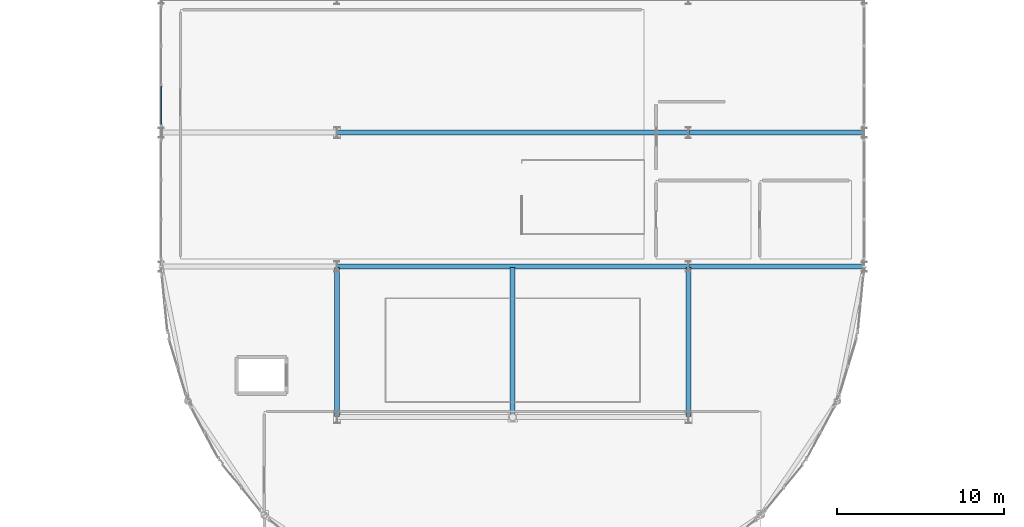
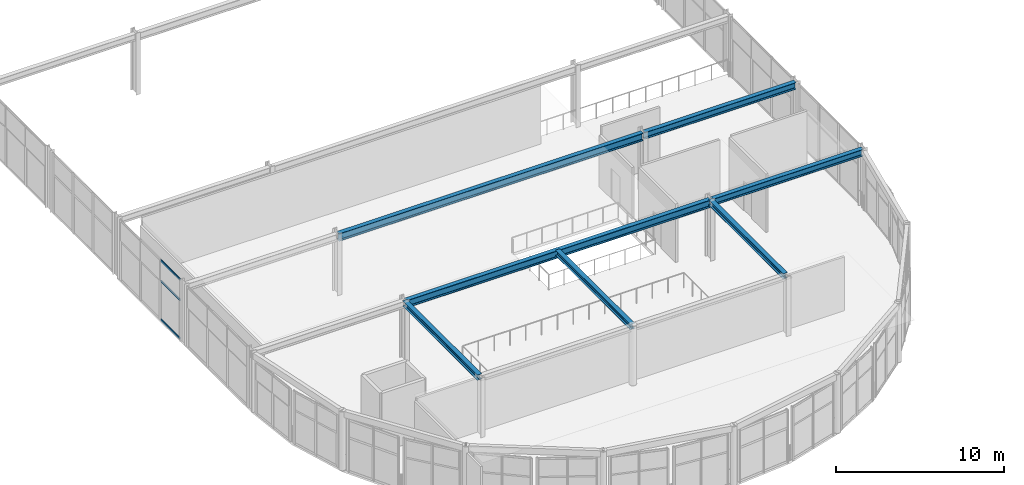
# One storey, part 21 of 105: 7 beams, 3 members, 1 element without a shape of its own.
"""IFC4 building model written with IfcOpenShell, lengths in metres."""

import ifcopenshell
import ifcopenshell.guid

model = None  # the IFC model being written
_history = None  # IfcOwnerHistory: only IFC2X3 demands one
_inside = {}  # id of a spatial element -> (the spatial element, [elements in it])
_under = {}  # id of a project, library or spatial element -> (it, [spatial elements below it])
_declared = {}  # id of a project -> (the project, [libraries it declares])
_typed = {}  # id of a type object -> (the type object, [elements of that type])
_made_of = {}  # id of a material, layer set ... -> (it, [elements and type objects made of it])


def new_model(schema):
    """Start an empty IFC model of exactly this schema.

    Asked for "IFC4X3", IfcOpenShell would pick the latest addendum, in which some entities
    have other attributes; the version numbers below select the first issue.
    IFC2X3 requires an IfcOwnerHistory on every rooted entity: one is made here for all.
    """
    global model, _history
    if schema == "IFC4X3":
        model = ifcopenshell.file(schema_version=(4, 3, 0, 0))
    else:
        model = ifcopenshell.file(schema=schema)
    _inside.clear()
    _under.clear()
    _declared.clear()
    _typed.clear()
    _made_of.clear()
    _history = None
    if model.schema == "IFC2X3":
        org = make("IfcOrganization", Name="unknown")
        user = make(
            "IfcPersonAndOrganization",
            ThePerson=make("IfcPerson", FamilyName="unknown"),
            TheOrganization=org,
        )
        app = make(
            "IfcApplication",
            ApplicationDeveloper=org,
            Version="unknown",
            ApplicationFullName="unknown",
            ApplicationIdentifier="unknown",
        )
        _history = make(
            "IfcOwnerHistory",
            OwningUser=user,
            OwningApplication=app,
            ChangeAction="ADDED",
            CreationDate=0,
        )
    return model


def make(cls, **values):
    """One entity of the class cls with the attributes given. An attribute that is None is left unset."""
    return model.create_entity(
        cls, **{name: value for name, value in values.items() if value is not None}
    )


def rooted(cls, **values):
    """An entity with a GlobalId (a new one), such as an element, a storey or a relation."""
    return make(cls, GlobalId=ifcopenshell.guid.new(), OwnerHistory=_history, **values)


def si_unit(unit_type, name, prefix=None):
    """IfcSIUnit, for example si_unit("LENGTHUNIT", "METRE", prefix="MILLI")."""
    return make("IfcSIUnit", UnitType=unit_type, Prefix=prefix, Name=name)


def assignment(units):
    """IfcUnitAssignment: the units of a project."""
    return None if units is None else make("IfcUnitAssignment", Units=units)


def point(xyz):
    """IfcCartesianPoint."""
    return None if xyz is None else make("IfcCartesianPoint", Coordinates=xyz)


def direction(xyz):
    """IfcDirection."""
    return None if xyz is None else make("IfcDirection", DirectionRatios=xyz)


def frame(location, z_axis=None, x_axis=None):
    """IfcAxis2Placement3D, a coordinate frame: its origin and axes. An axis left out is left unset."""
    return make(
        "IfcAxis2Placement3D",
        Location=point(location),
        Axis=direction(z_axis),
        RefDirection=direction(x_axis),
    )


def frame_2d(location, x_axis=None):
    """IfcAxis2Placement2D, a coordinate frame in the plane: its origin and x axis."""
    return make(
        "IfcAxis2Placement2D", Location=point(location), RefDirection=direction(x_axis)
    )


def origin():
    """The frame at (0, 0, 0) with its axes left unset."""
    return frame((0.0, 0.0, 0.0))


def origin_2d():
    """The frame at (0, 0) in the plane with its x axis left unset."""
    return frame_2d((0.0, 0.0))


def place(relative_to, where):
    """IfcLocalPlacement: puts the frame where relative to a parent placement (None: the world)."""
    return make(
        "IfcLocalPlacement", PlacementRelTo=relative_to, RelativePlacement=where
    )


def context(
    kind, dimensions, precision=None, world=None, true_north=None, identifier=None
):
    """IfcGeometricRepresentationContext, for example the 3D "Model" context."""
    return make(
        "IfcGeometricRepresentationContext",
        ContextIdentifier=identifier,
        ContextType=kind,
        CoordinateSpaceDimension=dimensions,
        Precision=precision,
        WorldCoordinateSystem=world,
        TrueNorth=true_north,
    )


def subcontext(parent, identifier, kind, view, scale=None):
    """IfcGeometricRepresentationSubContext, for example "Body" below "Model"."""
    return make(
        "IfcGeometricRepresentationSubContext",
        ContextIdentifier=identifier,
        ContextType=kind,
        ParentContext=parent,
        TargetScale=scale,
        TargetView=view,
    )


def project(units=None, contexts=None):
    """IfcProject with its units and contexts."""
    return rooted(
        "IfcProject",
        Name="project",
        RepresentationContexts=contexts,
        UnitsInContext=assignment(units),
    )


def spatial(cls, under=None, at=None, **own):
    """A site, building, storey or space (cls), placed at a placement, below another one or the project."""
    s = rooted(cls, ObjectPlacement=at, **own)
    if under is not None:
        _under.setdefault(under.id(), (under, []))[1].append(s)
    return s


def profile(cls, at=None, kind="AREA", **sizes):
    """A parametric profile (cls). Its sizes go by their IFC names, for example OverallWidth=200.0."""
    return make(cls, ProfileType=kind, Position=at, **sizes)


def hollow_rectangle(**sizes):
    """IfcRectangleHollowProfileDef."""
    return profile("IfcRectangleHollowProfileDef", **sizes)


def i_section(**sizes):
    """IfcIShapeProfileDef."""
    return profile("IfcIShapeProfileDef", **sizes)


def extrude(swept, where, along, depth):
    """IfcExtrudedAreaSolid: the profile swept, set in the frame where, extruded along a direction by depth."""
    return make(
        "IfcExtrudedAreaSolid",
        SweptArea=swept,
        Position=where,
        ExtrudedDirection=direction(along),
        Depth=depth,
    )


def shape(context_of_items, identifier, shape_type, items):
    """IfcShapeRepresentation: the items that make up one representation, for example the "Body"."""
    return make(
        "IfcShapeRepresentation",
        ContextOfItems=context_of_items,
        RepresentationIdentifier=identifier,
        RepresentationType=shape_type,
        Items=items,
    )


def material(Name=None, Category=None):
    """IfcMaterial."""
    return make("IfcMaterial", Name=Name, Category=Category)


def layer(
    of_material, thickness, ventilated=None, Name=None, Category=None, Priority=None
):
    """IfcMaterialLayer: one layer of a wall or slab, of a material (None: an air gap)."""
    return make(
        "IfcMaterialLayer",
        Material=of_material,
        LayerThickness=thickness,
        IsVentilated=ventilated,
        Name=Name,
        Category=Category,
        Priority=Priority,
    )


def layer_set(layers, Name=None):
    """IfcMaterialLayerSet."""
    return make("IfcMaterialLayerSet", MaterialLayers=layers, LayerSetName=Name)


def material_profile(
    of_material, cross_section, Name=None, Category=None, Priority=None
):
    """IfcMaterialProfile: a cross section and its material."""
    return make(
        "IfcMaterialProfile",
        Name=Name,
        Material=of_material,
        Profile=cross_section,
        Priority=Priority,
        Category=Category,
    )


def profile_set(profiles, Name=None, composite=None):
    """IfcMaterialProfileSet."""
    return make(
        "IfcMaterialProfileSet",
        Name=Name,
        MaterialProfiles=profiles,
        CompositeProfile=composite,
    )


def made_of(thing, what):
    """Note that an element or type object is made of a material, layer set ...; save() writes the relation."""
    if what is not None:
        _made_of.setdefault(what.id(), (what, []))[1].append(thing)
    return thing


def type_object(cls, material=None, **own):
    """A type object (cls), such as IfcWallType, which elements share."""
    return made_of(rooted(cls, **own), material)


def element(
    cls,
    number,
    at=None,
    inside=None,
    cuts=None,
    type_object=None,
    material=None,
    context=None,
    identifier="Body",
    shape_type=None,
    held_by="IfcProductDefinitionShape",
    body=None,
    shapes=None,
    **own,
):
    """One element of the class cls, such as IfcWall. Its Tag is "e" and its number.

    at: its placement. inside: the storey or other place that contains it. cuts: it is an
    opening in that element (IfcRelVoidsElement). A single representation is given by context,
    identifier, shape_type and body (its items); several are given by shapes. held_by: the class
    of the entity that holds the representations. save() writes the other relations.
    """
    e = rooted(cls, Tag="e%d" % number, ObjectPlacement=at, **own)
    if body is not None:
        shapes = [shape(context, identifier, shape_type, body)]
    if shapes is not None:
        e.Representation = make(held_by, Representations=shapes)
    if inside is not None:
        _inside.setdefault(inside.id(), (inside, []))[1].append(e)
    if cuts is not None:
        rooted(
            "IfcRelVoidsElement", RelatingBuildingElement=cuts, RelatedOpeningElement=e
        )
    if type_object is not None:
        _typed.setdefault(type_object.id(), (type_object, []))[1].append(e)
    return made_of(e, material)


def aggregate(whole, parts):
    """IfcRelAggregates: a whole, such as a stair, and the parts it consists of."""
    return rooted("IfcRelAggregates", RelatingObject=whole, RelatedObjects=parts)


def save(model, path):
    """Write the relations noted so far, then the file.

    IfcRelAggregates (storeys below a building ...), IfcRelContainedInSpatialStructure (elements
    in a storey), IfcRelDefinesByType, IfcRelAssociatesMaterial and IfcRelDeclares: one each for
    every whole, place, type object, material and project.
    """
    for whole, parts in _under.values():
        aggregate(whole, parts)
    for where, things in _inside.values():
        rooted(
            "IfcRelContainedInSpatialStructure",
            RelatedElements=things,
            RelatingStructure=where,
        )
    for kind, things in _typed.values():
        rooted("IfcRelDefinesByType", RelatedObjects=things, RelatingType=kind)
    for what, things in _made_of.values():
        rooted("IfcRelAssociatesMaterial", RelatedObjects=things, RelatingMaterial=what)
    for by, libraries in _declared.values():
        rooted("IfcRelDeclares", RelatingContext=by, RelatedDefinitions=libraries)
    model.write(path)


model = new_model("IFC4")

# Units and contexts
model_context = context("Model", 3, precision=1e-05, world=origin(), true_north=direction((0.0, 1.0)))
body_context = subcontext(model_context, "Body", "Model", "MODEL_VIEW")
ifc_project = project(units=[si_unit("LENGTHUNIT", "METRE"), si_unit("AREAUNIT", "SQUARE_METRE"), si_unit("VOLUMEUNIT", "CUBIC_METRE"), si_unit("PLANEANGLEUNIT", "RADIAN"), si_unit("MASSUNIT", "GRAM", prefix="KILO")], contexts=[model_context])

# Site, building, storey
site_placement = place(None, origin())
site = spatial("IfcSite", under=ifc_project, at=site_placement, CompositionType="ELEMENT")
building_placement = place(site_placement, origin())
building = spatial("IfcBuilding", under=site, at=building_placement, Name="Marlcrest Central Station", CompositionType="ELEMENT")
storey_placement = place(building_placement, frame((0.0, 0.0, 15.0)))
storey = spatial("IfcBuildingStorey", under=building, at=storey_placement, Name="L03", CompositionType="ELEMENT", Elevation=15.0)

# Beams
ifc_material_1 = material(Name="Steel S355", Category="steel")
ifc_material_profile_1 = material_profile(ifc_material_1, i_section(OverallWidth=0.300048828125, OverallDepth=0.389892578125, WebThickness=0.010986328125, FlangeThickness=0.01904296875, FilletRadius=0.027099609375, at=origin_2d()), Name="HEA 400")
ifc_profile_set_1 = profile_set([ifc_material_profile_1], Name="Steel S355")
beam_type_1 = type_object("IfcBeamType", Name="BM-08", PredefinedType="BEAM", material=ifc_profile_set_1)
for number, where, z_axis, x_axis, name in (
    (1, (97.5, 13.550048828125, 4.1298828125), (0.0, 1.0, 0.0), (-1.0, 0.0, 0.0), "bm-BM-08-L03-01415"),
    (2, (108.0, 13.550048828125, 4.1298828125), (0.0, 1.0, 0.0), (-1.0, 0.0, 0.0), "bm-BM-08-L03-01416"),
    (3, (118.5, 13.550048828125, 4.1298828125), (0.0, 1.0, 0.0), (-1.0, 0.0, 0.0), "bm-BM-08-L03-01417"),
):
    element("IfcBeam", number, at=place(storey_placement, frame(where, z_axis=z_axis, x_axis=x_axis)), inside=storey, type_object=beam_type_1, Name=name, PredefinedType="BEAM", context=body_context, shape_type="SweptSolid", body=[
        extrude(i_section(OverallWidth=0.300048828125, OverallDepth=0.389892578125, WebThickness=0.010986328125, FlangeThickness=0.01904296875, FilletRadius=0.027099609375, at=origin_2d()), origin(), (0.0, 0.0, 1.0), 8.89990234375),
    ])
ifc_material_profile_2 = material_profile(ifc_material_1, i_section(OverallWidth=0.300048828125, OverallDepth=0.489990234375, WebThickness=0.011962890625, FlangeThickness=0.02294921875, FilletRadius=0.027099609375, at=origin_2d()), Name="HEA 500")
ifc_profile_set_2 = profile_set([ifc_material_profile_2], Name="Steel S355")
beam_type_2 = type_object("IfcBeamType", Name="BM-10", PredefinedType="BEAM", material=ifc_profile_set_2)
for number, where, z_axis, x_axis, name in (
    (4, (118.550048828125, 22.5, 4.074951171875), (1.0, 0.0, 0.0), (0.0, 1.0, 0.0), "bm-BM-10-L03-01168"),
    (5, (118.550048828125, 30.5, 4.074951171875), (1.0, 0.0, 0.0), (0.0, 1.0, 0.0), "bm-BM-10-L03-01175"),
):
    element("IfcBeam", number, at=place(storey_placement, frame(where, z_axis=z_axis, x_axis=x_axis)), inside=storey, type_object=beam_type_2, Name=name, PredefinedType="BEAM", context=body_context, shape_type="SweptSolid", body=[
        extrude(i_section(OverallWidth=0.300048828125, OverallDepth=0.489990234375, WebThickness=0.011962890625, FlangeThickness=0.02294921875, FilletRadius=0.027099609375, at=origin_2d()), origin(), (0.0, 0.0, 1.0), 10.39990234375),
    ])
ifc_material_profile_3 = material_profile(ifc_material_1, i_section(OverallWidth=0.300048828125, OverallDepth=0.550048828125, WebThickness=0.014892578125, FlangeThickness=0.029052734375, FilletRadius=0.027099609375, at=origin_2d()), Name="HEB 550")
ifc_profile_set_3 = profile_set([ifc_material_profile_3], Name="Steel S355")
beam_type_3 = type_object("IfcBeamType", Name="BM-11", PredefinedType="BEAM", material=ifc_profile_set_3)
for number, where, z_axis, x_axis, name in (
    (6, (97.550048828125, 22.5, 4.044921875), (1.0, 0.0, 0.0), (0.0, 1.0, 0.0), "bm-BM-11-L03-01169"),
    (7, (97.550048828125, 30.5, 4.044921875), (1.0, 0.0, 0.0), (0.0, 1.0, 0.0), "bm-BM-11-L03-01176"),
):
    element("IfcBeam", number, at=place(storey_placement, frame(where, z_axis=z_axis, x_axis=x_axis)), inside=storey, type_object=beam_type_3, Name=name, PredefinedType="BEAM", context=body_context, shape_type="SweptSolid", body=[
        extrude(i_section(OverallWidth=0.300048828125, OverallDepth=0.550048828125, WebThickness=0.014892578125, FlangeThickness=0.029052734375, FilletRadius=0.027099609375, at=origin_2d()), origin(), (0.0, 0.0, 1.0), 20.89990234375),
    ])

# Curtain wall, members
ifc_material_2 = material(Name="Anodised aluminium and hurricane laminated glass", Category="aluminium")
ifc_layer = layer(ifc_material_2, 0.219970703125, Name="CW-U1")
ifc_layer_set = layer_set([ifc_layer], Name="Anodised aluminium and hurricane laminated glass")
curtain_wall_type = type_object("IfcCurtainWallType", Name="CW-U1", PredefinedType="USERDEFINED", material=ifc_layer_set)
curtain_wall_placement = place(storey_placement, origin())
curtain_wall = element("IfcCurtainWall", 8, at=curtain_wall_placement, inside=storey, type_object=curtain_wall_type, Name="cw-L03-0105", ObjectType="UNITISED_CURTAIN_WALL", PredefinedType="USERDEFINED")
ifc_material_3 = material(Name="Anodised aluminium 6063-T6", Category="aluminium")
ifc_material_profile_4 = material_profile(ifc_material_3, hollow_rectangle(XDim=0.06005859375, YDim=0.14990234375, WallThickness=0.00390625, at=origin_2d()), Name="AA-RHS 150x60x4")
ifc_profile_set_4 = profile_set([ifc_material_profile_4], Name="Anodised aluminium 6063-T6")
member_type = type_object("IfcMemberType", Name="TR-01", PredefinedType="USERDEFINED", material=ifc_profile_set_4)
member_1_placement = place(storey_placement, frame((87.0, 30.988037109375, 0.0400390625), z_axis=(0.0, 1.0, 0.0), x_axis=(-1.0, 0.0, 0.0)))
member_1 = element("IfcMember", 9, at=member_1_placement, type_object=member_type, Name="cw-L03-0105-tr-0-sill", ObjectType="TRANSOM", PredefinedType="USERDEFINED", context=body_context, shape_type="SweptSolid", body=[
    extrude(hollow_rectangle(XDim=0.06005859375, YDim=0.14990234375, WallThickness=0.00390625, at=origin_2d()), origin(), (0.0, 0.0, 1.0), 2.290771484375),
])
member_2_placement = place(storey_placement, frame((87.0, 30.988037109375, 2.827880859375), z_axis=(0.0, 1.0, 0.0), x_axis=(-1.0, 0.0, 0.0)))
member_2 = element("IfcMember", 10, at=member_2_placement, type_object=member_type, Name="cw-L03-0105-tr-0-mid", ObjectType="TRANSOM", PredefinedType="USERDEFINED", context=body_context, shape_type="SweptSolid", body=[
    extrude(hollow_rectangle(XDim=0.06005859375, YDim=0.14990234375, WallThickness=0.00390625, at=origin_2d()), origin(), (0.0, 0.0, 1.0), 2.290771484375),
])
member_3_placement = place(storey_placement, frame((87.0, 30.988037109375, 4.31005859375), z_axis=(0.0, 1.0, 0.0), x_axis=(-1.0, 0.0, 0.0)))
member_3 = element("IfcMember", 11, at=member_3_placement, type_object=member_type, Name="cw-L03-0105-tr-0-head", ObjectType="TRANSOM", PredefinedType="USERDEFINED", context=body_context, shape_type="SweptSolid", body=[
    extrude(hollow_rectangle(XDim=0.06005859375, YDim=0.14990234375, WallThickness=0.00390625, at=origin_2d()), origin(), (0.0, 0.0, 1.0), 2.290771484375),
])
aggregate(curtain_wall, [member_1, member_2, member_3])

save(model, "model.ifc")
